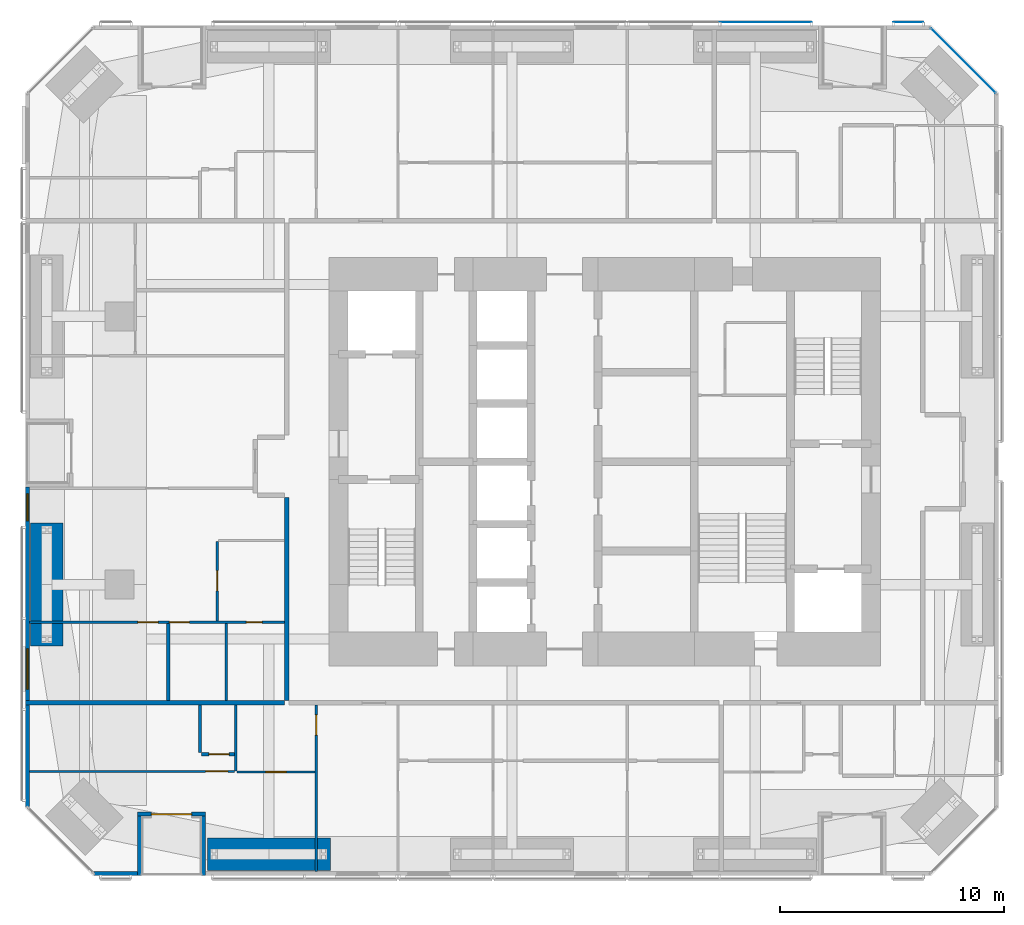
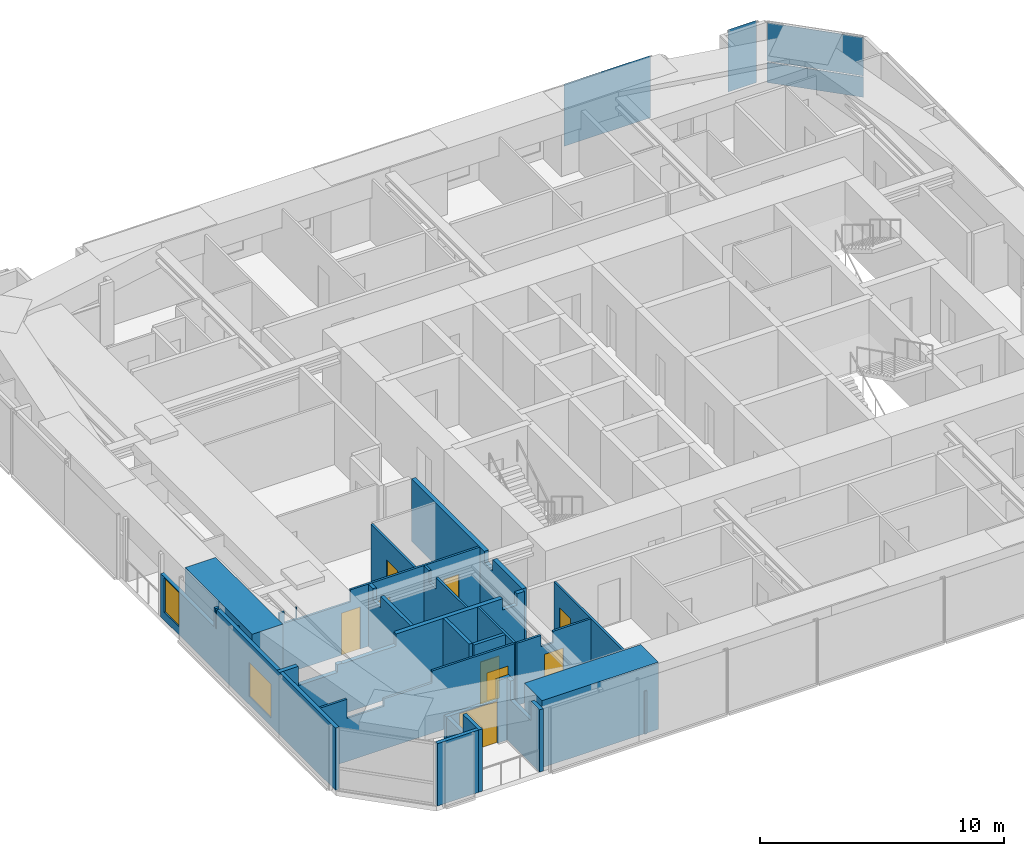
# One storey, part 16 of 23: 20 walls, 9 doors, 4 plates, 2 windows, 11 openings, 3 elements without a shape of their own.
"""IFC4 building model written with IfcOpenShell, lengths in metres."""

from ifc_helpers import new_model, si_unit, direction, frame, frame_2d, origin, origin_2d, place, context, subcontext, project, spatial, polyline, rectangle, outline, extrude, material, layer, layer_set, constituent, constituent_set, type_object, element, fill, aggregate, save


model = new_model("IFC4")

# Units and contexts
model_context = context("Model", 3, precision=1e-05, world=origin(), true_north=direction((0.0, 1.0)))
body_context = subcontext(model_context, "Body", "Model", "MODEL_VIEW")
ifc_project = project(units=[si_unit("LENGTHUNIT", "METRE"), si_unit("AREAUNIT", "SQUARE_METRE"), si_unit("VOLUMEUNIT", "CUBIC_METRE"), si_unit("PLANEANGLEUNIT", "RADIAN"), si_unit("MASSUNIT", "GRAM", prefix="KILO")], contexts=[model_context])

# Site, building, storey
site_placement = place(None, origin())
site = spatial("IfcSite", under=ifc_project, at=site_placement, CompositionType="ELEMENT")
building_placement = place(site_placement, origin())
building = spatial("IfcBuilding", under=site, at=building_placement, Name="Jalousie Tower", CompositionType="ELEMENT")
storey_placement = place(building_placement, frame((0.0, 0.0, 114.89990234375)))
storey = spatial("IfcBuildingStorey", under=building, at=storey_placement, Name="L31", CompositionType="ELEMENT", Elevation=114.89990234375)

# Curtain wall, plates
ifc_material_1 = material(Name="Aluminium curtain wall", Category="aluminium")
curtain_wall_type_1 = type_object("IfcCurtainWallType", Name="CORNER WINDOW WALL", PredefinedType="USERDEFINED", material=ifc_material_1)
curtain_wall_1_placement = place(storey_placement, origin())
curtain_wall_1 = element("IfcCurtainWall", 1, at=curtain_wall_1_placement, inside=storey, type_object=curtain_wall_type_1, Name="Corner Window Wall L31 4", ObjectType="CORNER WINDOW WALL", PredefinedType="USERDEFINED")
ifc_material_2 = material(Name="Laminated impact-rated spandrel glass", Category="glass")
ifc_layer_1 = layer(ifc_material_2, 0.028076171875)
ifc_layer_set_1 = layer_set([ifc_layer_1], Name="Laminated impact-rated spandrel glass")
plate_type_1 = type_object("IfcPlateType", Name="CORNER WINDOW WALL PANEL", PredefinedType="CURTAIN_PANEL", material=ifc_layer_set_1)
plate_1_placement = place(storey_placement, frame((47.9306640625, 36.4306640625, 0.06005859375), z_axis=(0.0, 0.0, 1.0), x_axis=(-0.707106781187, 0.707106781187, 0.0)))
plate_1 = element("IfcPlate", 2, at=plate_1_placement, type_object=plate_type_1, Name="CW-C panel 1.1", PredefinedType="CURTAIN_PANEL", context=body_context, shape_type="SweptSolid", body=[
    extrude(rectangle(XDim=4.071533203125, YDim=0.028076171875, at=origin_2d()), origin(), (0.0, 0.0, 1.0), 1.010009765625),
])
plate_2_placement = place(storey_placement, frame((47.9306640625, 36.4306640625, 1.130126953125), z_axis=(0.0, 0.0, 1.0), x_axis=(-0.707106781187, 0.707106781187, 0.0)))
plate_2 = element("IfcPlate", 3, at=plate_2_placement, type_object=plate_type_1, Name="CW-C panel 1.2", PredefinedType="CURTAIN_PANEL", context=body_context, shape_type="SweptSolid", body=[
    extrude(rectangle(XDim=4.071533203125, YDim=0.028076171875, at=origin_2d()), origin(), (0.0, 0.0, 1.0), 1.919921875),
])
aggregate(curtain_wall_1, [plate_1, plate_2])

# Curtain wall, plate
ifc_material_3 = material(Name="Perforated aluminium sheet", Category="aluminium")
curtain_wall_type_2 = type_object("IfcCurtainWallType", Name="SOLAR SCREEN SS-1", PredefinedType="USERDEFINED", material=ifc_material_3)
curtain_wall_2_placement = place(storey_placement, origin())
curtain_wall_2 = element("IfcCurtainWall", 4, at=curtain_wall_2_placement, inside=storey, type_object=curtain_wall_type_2, Name="Solar screen L31", ObjectType="SOLAR SCREEN SS-1", PredefinedType="USERDEFINED")
ifc_material_4 = material(Name="Perforated aluminium sheet", Category="aluminium")
ifc_layer_2 = layer(ifc_material_4, 0.006103515625)
ifc_layer_set_2 = layer_set([ifc_layer_2], Name="Perforated aluminium sheet")
plate_type_2 = type_object("IfcPlateType", Name="SOLAR SCREEN SS-1 PANEL", PredefinedType="CURTAIN_PANEL", material=ifc_layer_set_2)
plate_3_placement = place(storey_placement, frame((45.4736328125, 38.150390625, 0.0), z_axis=(0.0, 0.0, 1.0), x_axis=(-1.0, 0.0, 0.0)))
plate_3 = element("IfcPlate", 5, at=plate_3_placement, type_object=plate_type_2, Name="SS1 perforated panel 1", PredefinedType="CURTAIN_PANEL", context=body_context, shape_type="SweptSolid", body=[
    extrude(rectangle(XDim=1.35009765625, YDim=0.006103515625, at=origin_2d()), origin(), (0.0, 0.0, 1.0), 3.110107421875),
])
aggregate(curtain_wall_2, [plate_3])

curtain_wall_3_placement = place(storey_placement, origin())
curtain_wall_3 = element("IfcCurtainWall", 6, at=curtain_wall_3_placement, inside=storey, type_object=curtain_wall_type_2, Name="Solar screen L31", ObjectType="SOLAR SCREEN SS-1", PredefinedType="USERDEFINED")
plate_4_placement = place(storey_placement, frame((39.09912109375, 38.150390625, 0.0), z_axis=(0.0, 0.0, 1.0), x_axis=(-1.0, 0.0, 0.0)))
plate_4 = element("IfcPlate", 7, at=plate_4_placement, type_object=plate_type_2, Name="SS1 perforated panel 1", PredefinedType="CURTAIN_PANEL", context=body_context, shape_type="SweptSolid", body=[
    extrude(rectangle(XDim=4.099365234375, YDim=0.006103515625, at=origin_2d()), origin(), (0.0, 0.0, 1.0), 3.110107421875),
])
aggregate(curtain_wall_3, [plate_4])

# Wall, opening, door
ifc_material_5 = material(Name="Concrete block ASTM C90", Category="concrete")
ifc_constituent_1 = constituent(ifc_material_5, Name="Body")
ifc_material_6 = material(Name="Render")
ifc_constituent_2 = constituent(ifc_material_6, Name="Finish")
ifc_constituent_set_1 = constituent_set(constituents=[ifc_constituent_1, ifc_constituent_2])
wall_type_1 = type_object("IfcWallType", Name="BATHROOM WALL 150", PredefinedType="PLUMBINGWALL", material=ifc_constituent_set_1)
wall_1_placement = place(storey_placement, frame((13.875, 5.425048828125, 0.0), z_axis=(0.0, 0.0, 1.0), x_axis=(1.0, 0.0, 0.0)))
wall_1 = element("IfcWall", 8, at=wall_1_placement, inside=storey, type_object=wall_type_1, Name="Bathroom Wall 150 L31", PredefinedType="PLUMBINGWALL", context=body_context, shape_type="SweptSolid", body=[
    extrude(rectangle(XDim=1.47509765625, YDim=0.14990234375, at=frame_2d((0.737548828125, 0.0))), origin(), (0.0, 0.0, 1.0), 3.110107421875),
])
opening_1_placement = place(wall_1_placement, frame((0.324951171875, 0.0, 0.0)))
opening_1 = element("IfcOpeningElement", 9, at=opening_1_placement, cuts=wall_1, Name="Opening D7", PredefinedType="OPENING", context=body_context, shape_type="SweptSolid", body=[
    extrude(rectangle(XDim=0.89990234375, YDim=2.10009765625, at=frame_2d((0.449951171875, 1.050048828125))), frame((0.0, 0.0849609375, 0.0), z_axis=(0.0, -1.0, 0.0), x_axis=(1.0, 0.0, 0.0)), (0.0, 0.0, 1.0), 0.169921875),
])
ifc_material_7 = material(Name="Timber door", Category="wood")
door_type_1 = type_object("IfcDoorType", Name="INTERNAL DOOR 900", OperationType="SINGLE_SWING_LEFT", PredefinedType="DOOR", material=ifc_material_7)
door_1_placement = place(opening_1_placement, origin())
door_1 = element("IfcDoor", 10, at=door_1_placement, inside=storey, type_object=door_type_1, Name="Apartment 3101 guest WC door", OperationType="SINGLE_SWING_RIGHT", OverallHeight=2.10009765625, OverallWidth=0.89990234375, PredefinedType="DOOR", context=body_context, shape_type="SweptSolid", body=[
    extrude(rectangle(XDim=0.89990234375, YDim=2.10009765625, at=frame_2d((0.449951171875, 1.050048828125))), frame((0.0, 0.02490234375, 0.0), z_axis=(0.0, -1.0, 0.0), x_axis=(1.0, 0.0, 0.0)), (0.0, 0.0, 1.0), 0.050048828125),
])
fill(opening_1, door_1)

# Walls
wall_2_placement = place(storey_placement, frame((13.800048828125, 5.5, 0.0), z_axis=(0.0, 0.0, 1.0), x_axis=(0.0, 1.0, 0.0)))
element("IfcWall", 11, at=wall_2_placement, inside=storey, type_object=wall_type_1, Name="Bathroom Wall 150 L31", PredefinedType="PLUMBINGWALL", context=body_context, shape_type="SweptSolid", body=[
    extrude(rectangle(XDim=2.125, YDim=0.14990234375, at=frame_2d((1.0625, 0.0))), origin(), (0.0, 0.0, 1.0), 3.110107421875),
])
wall_3_placement = place(storey_placement, frame((12.375, 7.824951171875, 0.0), z_axis=(0.0, 0.0, 1.0), x_axis=(0.0, 1.0, 0.0)))
element("IfcWall", 12, at=wall_3_placement, inside=storey, type_object=wall_type_1, Name="Bathroom Wall 150 L31", PredefinedType="PLUMBINGWALL", context=body_context, shape_type="SweptSolid", body=[
    extrude(outline(polyline([(0.0, 0.0), (3.449951171875, 0.0), (3.449951171875, 3.110107421875), (3.0625, 3.110107421875), (3.0625, 2.541015625), (2.4375, 2.541015625), (2.4375, 3.110107421875), (0.0, 3.110107421875), (0.0, 0.0)])), frame((0.0, 0.074951171875, 0.0), z_axis=(0.0, -1.0, 0.0), x_axis=(1.0, 0.0, 0.0)), (0.0, 0.0, 1.0), 0.14990234375),
])
ifc_material_8 = material(Name="Concrete block ASTM C90", Category="concrete")
ifc_constituent_3 = constituent(ifc_material_8, Name="Body")
ifc_material_9 = material(Name="Render")
ifc_constituent_4 = constituent(ifc_material_9, Name="Finish")
ifc_constituent_set_2 = constituent_set(constituents=[ifc_constituent_3, ifc_constituent_4])
wall_type_2 = type_object("IfcWallType", Name="CORRIDOR WALL 200", PredefinedType="PARTITIONING", material=ifc_constituent_set_2)
wall_4_placement = place(storey_placement, frame((17.675048828125, 7.824951171875, 0.0), z_axis=(0.0, 0.0, 1.0), x_axis=(0.0, 1.0, 0.0)))
element("IfcWall", 13, at=wall_4_placement, inside=storey, type_object=wall_type_2, Name="Corridor Wall 200 L31", PredefinedType="PARTITIONING", context=body_context, shape_type="SweptSolid", body=[
    extrude(outline(polyline([(0.0, 0.0), (9.074951171875, 0.0), (9.074951171875, 3.110107421875), (3.08740234375, 3.110107421875), (3.08740234375, 2.541015625), (2.41259765625, 2.541015625), (2.41259765625, 3.110107421875), (0.0, 3.110107421875), (0.0, 0.0)])), frame((0.0, 0.10009765625, 0.0), z_axis=(0.0, -1.0, 0.0), x_axis=(1.0, 0.0, 0.0)), (0.0, 0.0, 1.0), 0.199951171875),
])
ifc_material_10 = material(Name="Concrete f'c 40 MPa", Category="concrete")
ifc_constituent_5 = constituent(ifc_material_10, Name="Body")
ifc_material_11 = material(Name="Render, pastel sea green")
ifc_constituent_6 = constituent(ifc_material_11, Name="Finish")
ifc_constituent_set_3 = constituent_set(constituents=[ifc_constituent_5, ifc_constituent_6])
wall_type_3 = type_object("IfcWallType", Name="EXTERNAL WALL 175 SEA GREEN RENDER", PredefinedType="SOLIDWALL", material=ifc_constituent_set_3)
wall_5_placement = place(storey_placement, frame((9.05126953125, 0.08740234375, 0.0), z_axis=(0.0, 0.0, 1.0), x_axis=(1.0, 0.0, 0.0)))
element("IfcWall", 14, at=wall_5_placement, inside=storey, type_object=wall_type_3, Name="External Wall 175 Sea Green Render L31", PredefinedType="SOLIDWALL", context=body_context, shape_type="SweptSolid", body=[
    extrude(rectangle(XDim=1.949951171875, YDim=0.175048828125, at=frame_2d((0.97509765625, 0.0))), origin(), (0.0, 0.0, 1.0), 3.110107421875),
])

# Wall, opening, door
wall_6_placement = place(storey_placement, frame((11.001220703125, 2.737548828125, 0.0), z_axis=(0.0, 0.0, 1.0), x_axis=(1.0, 0.0, 0.0)))
wall_6 = element("IfcWall", 15, at=wall_6_placement, inside=storey, type_object=wall_type_3, Name="External Wall 175 Sea Green Render L31-A", PredefinedType="SOLIDWALL", context=body_context, shape_type="SweptSolid", body=[
    extrude(rectangle(XDim=2.425048828125, YDim=0.175048828125, at=frame_2d((1.21240234375, 0.0))), origin(), (0.0, 0.0, 1.0), 2.150146484375),
])
opening_2_placement = place(wall_6_placement, frame((0.625, 0.0, 0.0)))
opening_2 = element("IfcOpeningElement", 16, at=opening_2_placement, cuts=wall_6, Name="Opening D-BAL21", PredefinedType="OPENING", context=body_context, shape_type="SweptSolid", body=[
    extrude(rectangle(XDim=1.800048828125, YDim=2.10009765625, at=frame_2d((0.89990234375, 1.050048828125))), frame((0.0, 0.097412109375, 0.0), z_axis=(0.0, -1.0, 0.0), x_axis=(1.0, 0.0, 0.0)), (0.0, 0.0, 1.0), 0.195068359375),
])
ifc_material_12 = material(Name="Aluminium frame, impact-rated glazing", Category="aluminium")
door_type_2 = type_object("IfcDoorType", Name="BALCONY DOOR 1800x2100", OperationType="SLIDING_TO_LEFT", PredefinedType="DOOR", material=ifc_material_12)
door_2_placement = place(opening_2_placement, origin())
door_2 = element("IfcDoor", 17, at=door_2_placement, inside=storey, type_object=door_type_2, Name="Apartment 3101 living and dining room loggia door", OperationType="SLIDING_TO_LEFT", OverallHeight=2.10009765625, OverallWidth=1.800048828125, PredefinedType="DOOR", context=body_context, shape_type="SweptSolid", body=[
    extrude(rectangle(XDim=1.800048828125, YDim=2.10009765625, at=frame_2d((0.89990234375, 1.050048828125))), frame((0.0, 0.02490234375, 0.0), z_axis=(0.0, -1.0, 0.0), x_axis=(1.0, 0.0, 0.0)), (0.0, 0.0, 1.0), 0.050048828125),
])
fill(opening_2, door_2)

# Walls
wall_7_placement = place(storey_placement, frame((13.42626953125, 2.737548828125, 0.0), z_axis=(0.0, 0.0, 1.0), x_axis=(1.0, 0.0, 0.0)))
element("IfcWall", 18, at=wall_7_placement, inside=storey, type_object=wall_type_3, Name="External Wall 175 Sea Green Render L31-B", PredefinedType="SOLIDWALL", context=body_context, shape_type="SweptSolid", body=[
    extrude(rectangle(XDim=0.625, YDim=0.175048828125, at=frame_2d((0.3125, 0.0))), origin(), (0.0, 0.0, 1.0), 3.110107421875),
])
wall_8_placement = place(storey_placement, frame((11.0888671875, 0.0, 0.0), z_axis=(0.0, 0.0, 1.0), x_axis=(0.0, 1.0, 0.0)))
element("IfcWall", 19, at=wall_8_placement, inside=storey, type_object=wall_type_3, Name="External Wall 175 Sea Green Render L31", PredefinedType="SOLIDWALL", context=body_context, shape_type="SweptSolid", body=[
    extrude(outline(polyline([(0.0, 0.0), (2.64990234375, 0.0), (2.64990234375, 2.150146484375), (1.2958984375, 2.150146484375), (1.2958984375, 3.110107421875), (0.0, 3.110107421875), (0.0, 0.0)])), frame((0.0, 0.08740234375, 0.0), z_axis=(0.0, -1.0, 0.0), x_axis=(1.0, 0.0, 0.0)), (0.0, 0.0, 1.0), 0.175048828125),
])
wall_9_placement = place(storey_placement, frame((13.9638671875, 0.0, 0.0), z_axis=(0.0, 0.0, 1.0), x_axis=(0.0, 1.0, 0.0)))
element("IfcWall", 20, at=wall_9_placement, inside=storey, type_object=wall_type_3, Name="External Wall 175 Sea Green Render L31", PredefinedType="SOLIDWALL", context=body_context, shape_type="SweptSolid", body=[
    extrude(outline(polyline([(0.0, 0.0), (2.64990234375, 0.0), (2.64990234375, 3.110107421875), (2.378173828125, 3.110107421875), (2.378173828125, 2.150146484375), (0.70947265625, 2.150146484375), (0.70947265625, 3.110107421875), (0.0, 3.110107421875), (0.0, 0.0)])), frame((0.0, 0.08740234375, 0.0), z_axis=(0.0, -1.0, 0.0), x_axis=(1.0, 0.0, 0.0)), (0.0, 0.0, 1.0), 0.175048828125),
])

# Wall, openings, windows
wall_10_placement = place(storey_placement, frame((6.08740234375, 17.3583984375, 0.0), z_axis=(0.0, 0.0, 1.0), x_axis=(0.0, -1.0, 0.0)))
wall_10 = element("IfcWall", 21, at=wall_10_placement, inside=storey, type_object=wall_type_3, Name="External Wall 175 Sea Green Render L31", PredefinedType="SOLIDWALL", context=body_context, shape_type="SweptSolid", body=[
    extrude(outline(polyline([(0.0, 0.0), (14.30712890625, 0.0), (14.306884765625, 3.110107421875), (4.576904296875, 3.110107421875), (4.576904296875, 2.150146484375), (4.48388671875, 2.150146484375), (4.48388671875, 3.110107421875), (4.3583984375, 3.110107421875), (4.3583984375, 2.150146484375), (0.0, 2.150146484375), (0.0, 0.0)])), frame((0.0, 0.08740234375, 0.0), z_axis=(0.0, -1.0, 0.0), x_axis=(1.0, 0.0, 0.0)), (0.0, 0.0, 1.0), 0.175048828125),
])
opening_3_placement = place(wall_10_placement, frame((0.300048828125, 0.0, 0.39990234375)))
opening_3 = element("IfcOpeningElement", 22, at=opening_3_placement, cuts=wall_10, Name="Opening W-COR170", PredefinedType="OPENING", context=body_context, shape_type="SweptSolid", body=[
    extrude(rectangle(XDim=1.199951171875, YDim=1.699951171875, at=frame_2d((0.60009765625, 0.85009765625))), frame((0.0, 0.097412109375, 0.0), z_axis=(0.0, -1.0, 0.0), x_axis=(1.0, 0.0, 0.0)), (0.0, 0.0, 1.0), 0.195068359375),
])
opening_4_placement = place(wall_10_placement, frame((7.2333984375, 0.0, 0.39990234375)))
opening_4 = element("IfcOpeningElement", 23, at=opening_4_placement, cuts=wall_10, Name="Opening W-BED170", PredefinedType="OPENING", context=body_context, shape_type="SweptSolid", body=[
    extrude(rectangle(XDim=1.800048828125, YDim=1.699951171875, at=frame_2d((0.89990234375, 0.85009765625))), frame((0.0, 0.097412109375, 0.0), z_axis=(0.0, -1.0, 0.0), x_axis=(1.0, 0.0, 0.0)), (0.0, 0.0, 1.0), 0.195068359375),
])
ifc_material_13 = material(Name="Aluminium frame, impact-rated glazing", Category="aluminium")
window_type_1 = type_object("IfcWindowType", Name="WINDOW BED 1800x1700", PartitioningType="SINGLE_PANEL", PredefinedType="WINDOW", material=ifc_material_13)
window_1_placement = place(opening_4_placement, origin())
window_1 = element("IfcWindow", 24, at=window_1_placement, inside=storey, type_object=window_type_1, Name="Apartment 3105 bedroom 1 window", OverallHeight=1.699951171875, OverallWidth=1.800048828125, PartitioningType="SINGLE_PANEL", PredefinedType="WINDOW", context=body_context, shape_type="SweptSolid", body=[
    extrude(rectangle(XDim=1.800048828125, YDim=1.699951171875, at=frame_2d((0.89990234375, 0.85009765625))), frame((0.0, 0.030029296875, 0.0), z_axis=(0.0, -1.0, 0.0), x_axis=(1.0, 0.0, 0.0)), (0.0, 0.0, 1.0), 0.06005859375),
])
fill(opening_4, window_1)
ifc_material_14 = material(Name="Aluminium frame, impact-rated glazing", Category="aluminium")
window_type_2 = type_object("IfcWindowType", Name="WINDOW COR 1200x1700", PartitioningType="SINGLE_PANEL", PredefinedType="WINDOW", material=ifc_material_14)
window_2_placement = place(opening_3_placement, origin())
window_2 = element("IfcWindow", 25, at=window_2_placement, inside=storey, type_object=window_type_2, Name="Apartment 3105 dining room window", OverallHeight=1.699951171875, OverallWidth=1.199951171875, PartitioningType="SINGLE_PANEL", PredefinedType="WINDOW", context=body_context, shape_type="SweptSolid", body=[
    extrude(rectangle(XDim=1.199951171875, YDim=1.699951171875, at=frame_2d((0.60009765625, 0.85009765625))), frame((0.0, 0.030029296875, 0.0), z_axis=(0.0, -1.0, 0.0), x_axis=(1.0, 0.0, 0.0)), (0.0, 0.0, 1.0), 0.06005859375),
])
fill(opening_3, window_2)

# Wall, opening, door
ifc_material_15 = material(Name="Gypsum board", Category="gypsum")
ifc_constituent_7 = constituent(ifc_material_15, Name="Body")
ifc_material_16 = material(Name="Light-gauge steel studs ASTM A653 SS Grade 33", Category="steel")
ifc_constituent_8 = constituent(ifc_material_16, Name="Framing")
ifc_constituent_set_4 = constituent_set(constituents=[ifc_constituent_7, ifc_constituent_8])
wall_type_4 = type_object("IfcWallType", Name="PARTITION 100", PredefinedType="PARTITIONING", material=ifc_constituent_set_4)
wall_11_placement = place(storey_placement, frame((19.0, 0.175048828125, 0.0), z_axis=(0.0, 0.0, 1.0), x_axis=(0.0, 1.0, 0.0)))
wall_11 = element("IfcWall", 26, at=wall_11_placement, inside=storey, type_object=wall_type_4, Name="Partition 100 L31", PredefinedType="PARTITIONING", context=body_context, shape_type="SweptSolid", body=[
    extrude(outline(polyline([(0.52880859375, 2.150146484375), (0.0, 2.150146484375), (0.0, 0.0), (0.52880859375, 0.0), (0.52880859375, 0.01708984375), (1.021240234375, 0.01708984375), (1.021240234375, 0.0), (7.449951171875, 0.0), (7.449951171875, 3.110107421875), (1.635009765625, 3.110107421875), (1.635009765625, 2.150146484375), (1.021240234375, 2.150146484375), (1.021240234375, 2.133056640625), (0.52880859375, 2.133056640625), (0.52880859375, 2.150146484375)])), frame((0.0, 0.050048828125, 0.0), z_axis=(0.0, -1.0, 0.0), x_axis=(1.0, 0.0, 0.0)), (0.0, 0.0, 1.0), 0.10009765625),
])
opening_5_placement = place(wall_11_placement, frame((6.10009765625, 0.0, 0.0)))
opening_5 = element("IfcOpeningElement", 27, at=opening_5_placement, cuts=wall_11, Name="Opening D2", PredefinedType="OPENING", context=body_context, shape_type="SweptSolid", body=[
    extrude(rectangle(XDim=0.89990234375, YDim=2.10009765625, at=frame_2d((0.449951171875, 1.050048828125))), frame((0.0, 0.06005859375, 0.0), z_axis=(0.0, -1.0, 0.0), x_axis=(1.0, 0.0, 0.0)), (0.0, 0.0, 1.0), 0.1201171875),
])
ifc_material_17 = material(Name="Timber door", Category="wood")
door_type_3 = type_object("IfcDoorType", Name="BEDROOM DOOR 900", OperationType="SINGLE_SWING_LEFT", PredefinedType="DOOR", material=ifc_material_17)
door_3_placement = place(opening_5_placement, frame((0.89990234375, 0.0, 0.0), z_axis=(0.0, 0.0, 1.0), x_axis=(-1.0, 0.0, 0.0)))
door_3 = element("IfcDoor", 28, at=door_3_placement, inside=storey, type_object=door_type_3, Name="Apartment 3101 study door", OperationType="SINGLE_SWING_LEFT", OverallHeight=2.10009765625, OverallWidth=0.89990234375, PredefinedType="DOOR", context=body_context, shape_type="SweptSolid", body=[
    extrude(rectangle(XDim=0.89990234375, YDim=2.10009765625, at=frame_2d((0.449951171875, 1.050048828125))), frame((0.0, 0.02490234375, 0.0), z_axis=(0.0, -1.0, 0.0), x_axis=(1.0, 0.0, 0.0)), (0.0, 0.0, 1.0), 0.050048828125),
])
fill(opening_5, door_3)

wall_12_placement = place(storey_placement, frame((15.449951171875, 4.625, 0.0), z_axis=(0.0, 0.0, 1.0), x_axis=(1.0, 0.0, 0.0)))
wall_12 = element("IfcWall", 29, at=wall_12_placement, inside=storey, type_object=wall_type_4, Name="Partition 100 L31", PredefinedType="PARTITIONING", context=body_context, shape_type="SweptSolid", body=[
    extrude(outline(polyline([(0.0, 0.0), (3.5, 0.0), (3.5, 3.110107421875), (1.71240234375, 3.110107421875), (1.71240234375, 2.541015625), (1.1376953125, 2.541015625), (1.1376953125, 3.110107421875), (0.0, 3.110107421875), (0.0, 0.0)])), frame((0.0, 0.050048828125, 0.0), z_axis=(0.0, -1.0, 0.0), x_axis=(1.0, 0.0, 0.0)), (0.0, 0.0, 1.0), 0.10009765625),
])
opening_6_placement = place(wall_12_placement, frame((1.300048828125, 0.0, 0.0)))
opening_6 = element("IfcOpeningElement", 30, at=opening_6_placement, cuts=wall_12, Name="Opening D7", PredefinedType="OPENING", context=body_context, shape_type="SweptSolid", body=[
    extrude(rectangle(XDim=0.89990234375, YDim=2.10009765625, at=frame_2d((0.449951171875, 1.050048828125))), frame((0.0, 0.06005859375, 0.0), z_axis=(0.0, -1.0, 0.0), x_axis=(1.0, 0.0, 0.0)), (0.0, 0.0, 1.0), 0.1201171875),
])
door_4_placement = place(opening_6_placement, frame((0.89990234375, 0.0, 0.0), z_axis=(0.0, 0.0, 1.0), x_axis=(-1.0, 0.0, 0.0)))
door_4 = element("IfcDoor", 31, at=door_4_placement, inside=storey, type_object=door_type_1, Name="Apartment 3101 kitchen door", OperationType="SINGLE_SWING_LEFT", OverallHeight=2.10009765625, OverallWidth=0.89990234375, PredefinedType="DOOR", context=body_context, shape_type="SweptSolid", body=[
    extrude(rectangle(XDim=0.89990234375, YDim=2.10009765625, at=frame_2d((0.449951171875, 1.050048828125))), frame((0.0, 0.02490234375, 0.0), z_axis=(0.0, -1.0, 0.0), x_axis=(1.0, 0.0, 0.0)), (0.0, 0.0, 1.0), 0.050048828125),
])
fill(opening_6, door_4)

# Wall
wall_13_placement = place(storey_placement, frame((15.39990234375, 4.675048828125, 0.0), z_axis=(0.0, 0.0, 1.0), x_axis=(0.0, 1.0, 0.0)))
element("IfcWall", 32, at=wall_13_placement, inside=storey, type_object=wall_type_4, Name="Partition 100 L31", PredefinedType="PARTITIONING", context=body_context, shape_type="SweptSolid", body=[
    extrude(rectangle(XDim=2.949951171875, YDim=0.10009765625, at=frame_2d((1.47509765625, 0.0))), origin(), (0.0, 0.0, 1.0), 3.110107421875),
])

# Wall, opening, door
wall_14_placement = place(storey_placement, frame((6.175048828125, 4.64990234375, 0.0), z_axis=(0.0, 0.0, 1.0), x_axis=(1.0, 0.0, 0.0)))
wall_14 = element("IfcWall", 33, at=wall_14_placement, inside=storey, type_object=wall_type_4, Name="Partition 100 L31", PredefinedType="PARTITIONING", context=body_context, shape_type="SweptSolid", body=[
    extrude(outline(polyline([(0.0, 0.0), (9.175048828125, 0.0), (9.175048828125, 3.110107421875), (5.284912109375, 3.110107421875), (5.284912109375, 2.510009765625), (3.000244140625, 2.510009765625), (3.000244140625, 2.150146484375), (1.2578125, 2.150146484375), (1.2578125, 3.110107421875), (0.0, 3.110107421875), (0.0, 0.0)])), frame((0.0, 0.050048828125, 0.0), z_axis=(0.0, -1.0, 0.0), x_axis=(1.0, 0.0, 0.0)), (0.0, 0.0, 1.0), 0.10009765625),
])
opening_7_placement = place(wall_14_placement, frame((7.875, 0.0, 0.0)))
opening_7 = element("IfcOpeningElement", 34, at=opening_7_placement, cuts=wall_14, Name="Opening D6", PredefinedType="OPENING", context=body_context, shape_type="SweptSolid", body=[
    extrude(rectangle(XDim=1.0, YDim=2.10009765625, at=frame_2d((0.5, 1.050048828125))), frame((0.0, 0.06005859375, 0.0), z_axis=(0.0, -1.0, 0.0), x_axis=(1.0, 0.0, 0.0)), (0.0, 0.0, 1.0), 0.1201171875),
])
ifc_material_18 = material(Name="Timber door", Category="wood")
door_type_4 = type_object("IfcDoorType", Name="INTERNAL DOOR 1000", OperationType="SINGLE_SWING_LEFT", PredefinedType="DOOR", material=ifc_material_18)
door_5_placement = place(opening_7_placement, frame((1.0, 0.0, 0.0), z_axis=(0.0, 0.0, 1.0), x_axis=(-1.0, 0.0, 0.0)))
door_5 = element("IfcDoor", 35, at=door_5_placement, inside=storey, type_object=door_type_4, Name="Apartment 3101 hall door", OperationType="SINGLE_SWING_LEFT", OverallHeight=2.10009765625, OverallWidth=1.0, PredefinedType="DOOR", context=body_context, shape_type="SweptSolid", body=[
    extrude(rectangle(XDim=1.0, YDim=2.10009765625, at=frame_2d((0.5, 1.050048828125))), frame((0.0, 0.02490234375, 0.0), z_axis=(0.0, -1.0, 0.0), x_axis=(1.0, 0.0, 0.0)), (0.0, 0.0, 1.0), 0.050048828125),
])
fill(opening_7, door_5)

# Wall, openings, doors
wall_15_placement = place(storey_placement, frame((6.175048828125, 11.324951171875, 0.0), z_axis=(0.0, 0.0, 1.0), x_axis=(1.0, 0.0, 0.0)))
wall_15 = element("IfcWall", 36, at=wall_15_placement, inside=storey, type_object=wall_type_4, Name="Partition 100 L31", PredefinedType="PARTITIONING", context=body_context, shape_type="SweptSolid", body=[
    extrude(outline(polyline([(0.17529296875, 3.110107421875), (0.0, 3.110107421875), (0.0, 0.0), (0.52880859375, 0.0), (0.52880859375, 0.324951171875), (1.021240234375, 0.324951171875), (1.021240234375, 0.0), (11.39990234375, 0.0), (11.39990234375, 3.110107421875), (5.284912109375, 3.110107421875), (5.284912109375, 2.510009765625), (2.764892578125, 2.510009765625), (2.764892578125, 3.110107421875), (2.74365234375, 3.110107421875), (2.74365234375, 2.541015625), (2.1689453125, 2.541015625), (2.1689453125, 3.110107421875), (1.91796875, 3.110107421875), (1.91796875, 2.150146484375), (1.021240234375, 2.150146484375), (1.021240234375, 1.8251953125), (0.52880859375, 1.8251953125), (0.52880859375, 2.150146484375), (0.17529296875, 2.150146484375), (0.17529296875, 3.110107421875)])), frame((0.0, 0.050048828125, 0.0), z_axis=(0.0, -1.0, 0.0), x_axis=(1.0, 0.0, 0.0)), (0.0, 0.0, 1.0), 0.10009765625),
])
opening_8_placement = place(wall_15_placement, frame((4.85009765625, 0.0, 0.0)))
opening_8 = element("IfcOpeningElement", 37, at=opening_8_placement, cuts=wall_15, Name="Opening D2", PredefinedType="OPENING", context=body_context, shape_type="SweptSolid", body=[
    extrude(rectangle(XDim=0.89990234375, YDim=2.10009765625, at=frame_2d((0.449951171875, 1.050048828125))), frame((0.0, 0.06005859375, 0.0), z_axis=(0.0, -1.0, 0.0), x_axis=(1.0, 0.0, 0.0)), (0.0, 0.0, 1.0), 0.1201171875),
])
opening_9_placement = place(wall_15_placement, frame((6.25, 0.0, 0.0)))
opening_9 = element("IfcOpeningElement", 38, at=opening_9_placement, cuts=wall_15, Name="Opening D7", PredefinedType="OPENING", context=body_context, shape_type="SweptSolid", body=[
    extrude(rectangle(XDim=0.89990234375, YDim=2.10009765625, at=frame_2d((0.449951171875, 1.050048828125))), frame((0.0, 0.06005859375, 0.0), z_axis=(0.0, -1.0, 0.0), x_axis=(1.0, 0.0, 0.0)), (0.0, 0.0, 1.0), 0.1201171875),
])
opening_10_placement = place(wall_15_placement, frame((9.699951171875, 0.0, 0.0)))
opening_10 = element("IfcOpeningElement", 39, at=opening_10_placement, cuts=wall_15, Name="Opening D4", PredefinedType="OPENING", context=body_context, shape_type="SweptSolid", body=[
    extrude(rectangle(XDim=0.699951171875, YDim=2.10009765625, at=frame_2d((0.35009765625, 1.050048828125))), frame((0.0, 0.06005859375, 0.0), z_axis=(0.0, -1.0, 0.0), x_axis=(1.0, 0.0, 0.0)), (0.0, 0.0, 1.0), 0.1201171875),
])
door_6_placement = place(opening_8_placement, frame((0.89990234375, 0.0, 0.0), z_axis=(0.0, 0.0, 1.0), x_axis=(-1.0, 0.0, 0.0)))
door_6 = element("IfcDoor", 40, at=door_6_placement, inside=storey, type_object=door_type_3, Name="Apartment 3105 bedroom 1 door", OperationType="SINGLE_SWING_LEFT", OverallHeight=2.10009765625, OverallWidth=0.89990234375, PredefinedType="DOOR", context=body_context, shape_type="SweptSolid", body=[
    extrude(rectangle(XDim=0.89990234375, YDim=2.10009765625, at=frame_2d((0.449951171875, 1.050048828125))), frame((0.0, 0.02490234375, 0.0), z_axis=(0.0, -1.0, 0.0), x_axis=(1.0, 0.0, 0.0)), (0.0, 0.0, 1.0), 0.050048828125),
])
fill(opening_8, door_6)
door_7_placement = place(opening_9_placement, frame((0.89990234375, 0.0, 0.0), z_axis=(0.0, 0.0, 1.0), x_axis=(-1.0, 0.0, 0.0)))
door_7 = element("IfcDoor", 41, at=door_7_placement, inside=storey, type_object=door_type_1, Name="Apartment 3105 bathroom door", OperationType="SINGLE_SWING_RIGHT", OverallHeight=2.10009765625, OverallWidth=0.89990234375, PredefinedType="DOOR", context=body_context, shape_type="SweptSolid", body=[
    extrude(rectangle(XDim=0.89990234375, YDim=2.10009765625, at=frame_2d((0.449951171875, 1.050048828125))), frame((0.0, 0.02490234375, 0.0), z_axis=(0.0, -1.0, 0.0), x_axis=(1.0, 0.0, 0.0)), (0.0, 0.0, 1.0), 0.050048828125),
])
fill(opening_9, door_7)
ifc_material_19 = material(Name="Timber door", Category="wood")
door_type_5 = type_object("IfcDoorType", Name="STORE DOOR 700", OperationType="SINGLE_SWING_LEFT", PredefinedType="DOOR", material=ifc_material_19)
door_8_placement = place(opening_10_placement, frame((0.699951171875, 0.0, 0.0), z_axis=(0.0, 0.0, 1.0), x_axis=(-1.0, 0.0, 0.0)))
door_8 = element("IfcDoor", 42, at=door_8_placement, inside=storey, type_object=door_type_5, Name="Apartment 3105 store door", OperationType="SINGLE_SWING_RIGHT", OverallHeight=2.10009765625, OverallWidth=0.699951171875, PredefinedType="DOOR", context=body_context, shape_type="SweptSolid", body=[
    extrude(rectangle(XDim=0.699951171875, YDim=2.10009765625, at=frame_2d((0.35009765625, 1.050048828125))), frame((0.0, 0.02490234375, 0.0), z_axis=(0.0, -1.0, 0.0), x_axis=(1.0, 0.0, 0.0)), (0.0, 0.0, 1.0), 0.050048828125),
])
fill(opening_10, door_8)

# Wall
wall_16_placement = place(storey_placement, frame((14.97509765625, 7.824951171875, 0.0), z_axis=(0.0, 0.0, 1.0), x_axis=(0.0, 1.0, 0.0)))
element("IfcWall", 43, at=wall_16_placement, inside=storey, type_object=wall_type_4, Name="Partition 100 L31", PredefinedType="PARTITIONING", context=body_context, shape_type="SweptSolid", body=[
    extrude(outline(polyline([(0.0, 0.0), (3.449951171875, 0.0), (3.449951171875, 3.110107421875), (3.037353515625, 3.110107421875), (3.037353515625, 2.541015625), (2.462646484375, 2.541015625), (2.462646484375, 3.110107421875), (0.0, 3.110107421875), (0.0, 0.0)])), frame((0.0, 0.050048828125, 0.0), z_axis=(0.0, -1.0, 0.0), x_axis=(1.0, 0.0, 0.0)), (0.0, 0.0, 1.0), 0.10009765625),
])

# Wall, opening, door
wall_17_placement = place(storey_placement, frame((14.574951171875, 11.375, 0.0), z_axis=(0.0, 0.0, 1.0), x_axis=(0.0, 1.0, 0.0)))
wall_17 = element("IfcWall", 44, at=wall_17_placement, inside=storey, type_object=wall_type_4, Name="Partition 100 L31", PredefinedType="PARTITIONING", context=body_context, shape_type="SweptSolid", body=[
    extrude(rectangle(XDim=3.550048828125, YDim=0.10009765625, at=frame_2d((1.77490234375, 0.0))), origin(), (0.0, 0.0, 1.0), 3.110107421875),
])
opening_11_placement = place(wall_17_placement, frame((1.35009765625, 0.0, 0.0)))
opening_11 = element("IfcOpeningElement", 45, at=opening_11_placement, cuts=wall_17, Name="Opening D7", PredefinedType="OPENING", context=body_context, shape_type="SweptSolid", body=[
    extrude(rectangle(XDim=0.89990234375, YDim=2.10009765625, at=frame_2d((0.449951171875, 1.050048828125))), frame((0.0, 0.06005859375, 0.0), z_axis=(0.0, -1.0, 0.0), x_axis=(1.0, 0.0, 0.0)), (0.0, 0.0, 1.0), 0.1201171875),
])
door_9_placement = place(opening_11_placement, origin())
door_9 = element("IfcDoor", 46, at=door_9_placement, inside=storey, type_object=door_type_1, Name="Apartment 3105 kitchen door", OperationType="SINGLE_SWING_LEFT", OverallHeight=2.10009765625, OverallWidth=0.89990234375, PredefinedType="DOOR", context=body_context, shape_type="SweptSolid", body=[
    extrude(rectangle(XDim=0.89990234375, YDim=2.10009765625, at=frame_2d((0.449951171875, 1.050048828125))), frame((0.0, 0.02490234375, 0.0), z_axis=(0.0, -1.0, 0.0), x_axis=(1.0, 0.0, 0.0)), (0.0, 0.0, 1.0), 0.050048828125),
])
fill(opening_11, door_9)

# Walls
ifc_material_20 = material(Name="Concrete block ASTM C90", Category="concrete")
ifc_constituent_9 = constituent(ifc_material_20, Name="Body")
ifc_material_21 = material(Name="Render")
ifc_constituent_10 = constituent(ifc_material_21, Name="Finish")
ifc_constituent_set_5 = constituent_set(constituents=[ifc_constituent_9, ifc_constituent_10])
wall_type_5 = type_object("IfcWallType", Name="PARTY WALL 200", PredefinedType="PARTITIONING", material=ifc_constituent_set_5)
wall_18_placement = place(storey_placement, frame((6.0, 7.72509765625, 0.0), z_axis=(0.0, 0.0, 1.0), x_axis=(1.0, 0.0, 0.0)))
element("IfcWall", 47, at=wall_18_placement, inside=storey, type_object=wall_type_5, Name="Party Wall 200 L31", PredefinedType="PARTITIONING", context=body_context, shape_type="SweptSolid", body=[
    extrude(outline(polyline([(0.0, 0.0), (11.574951171875, 0.0), (11.574951171875, 3.110107421875), (11.21240234375, 3.110107421875), (11.21240234375, 2.541015625), (10.53759765625, 2.541015625), (10.53759765625, 3.110107421875), (5.510009765625, 3.110107421875), (5.510009765625, 2.510009765625), (2.96875, 2.510009765625), (2.96875, 2.541015625), (2.727294921875, 2.541015625), (2.727294921875, 2.150146484375), (0.883544921875, 2.150146484375), (0.883544921875, 3.110107421875), (0.0, 3.110107421875), (0.0, 0.0)])), frame((0.0, 0.10009765625, 0.0), z_axis=(0.0, -1.0, 0.0), x_axis=(1.0, 0.0, 0.0)), (0.0, 0.0, 1.0), 0.199951171875),
])
ifc_material_22 = material(Name="Concrete f'c 120 MPa", Category="concrete")
ifc_layer_3 = layer(ifc_material_22, 1.449951171875)
ifc_layer_set_3 = layer_set([ifc_layer_3], Name="Concrete f'c 120 MPa")
wall_type_6 = type_object("IfcWallType", Name="RC WALL PIER 1450", PredefinedType="SHEAR", material=ifc_layer_set_3)
for number, where, z_axis, x_axis, name in (
    (48, (14.125, 0.949951171875, 0.0), (0.0, 0.0, 1.0), (1.0, 0.0, 0.0), "Wall pier 02 L31"),
    (49, (6.949951171875, 10.25, 0.0), (0.0, 0.0, 1.0), (0.0, 1.0, 0.0), "Wall pier 14 L31"),
):
    element("IfcWall", number, at=place(storey_placement, frame(where, z_axis=z_axis, x_axis=x_axis)), inside=storey, type_object=wall_type_6, Name=name, PredefinedType="SHEAR", context=body_context, shape_type="SweptSolid", body=[
        extrude(rectangle(XDim=5.5, YDim=1.449951171875, at=frame_2d((2.75, 0.0))), origin(), (0.0, 0.0, 1.0), 3.35009765625),
    ])

save(model, "model.ifc")
